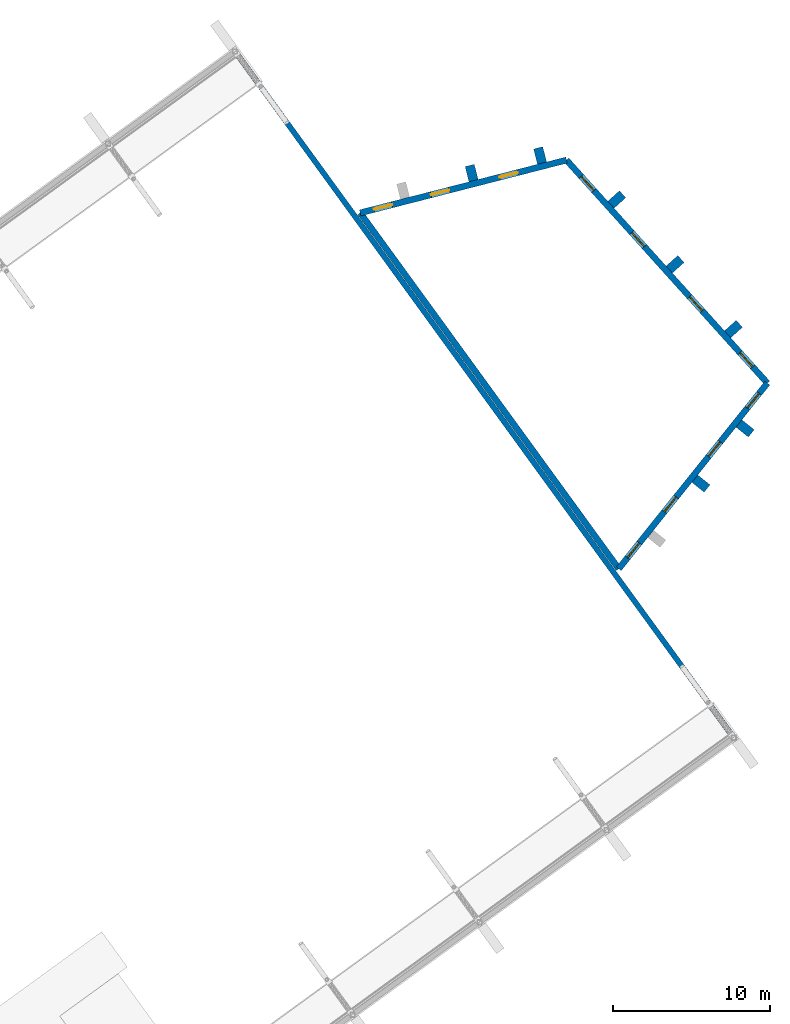
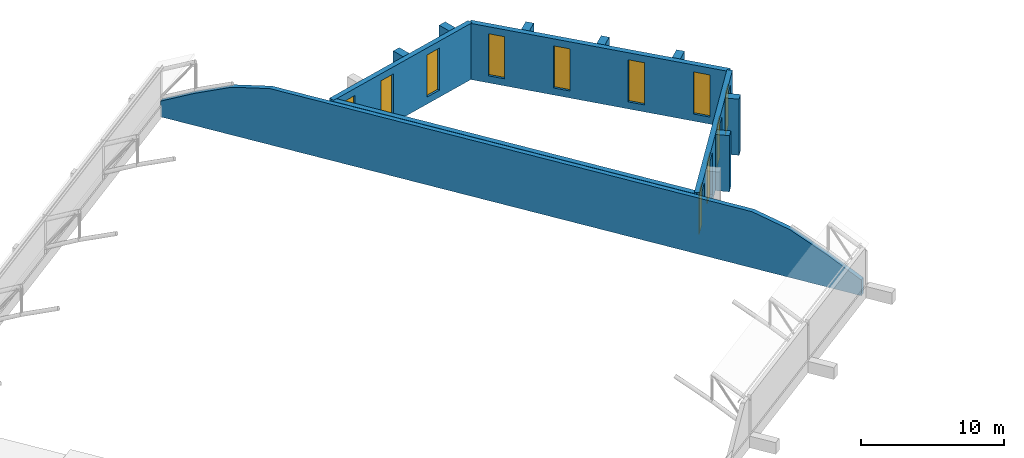
# One storey, part 130 of 196: 12 walls, 11 windows, 11 openings.
"""IFC4 building model written with IfcOpenShell, lengths in metres."""

from ifc_helpers import new_model, si_unit, direction, frame, frame_2d, origin, place, context, subcontext, project, spatial, polyline, rectangle, outline, extrude, material, layer, layer_set, type_object, element, fill, save


model = new_model("IFC4")

# Units and contexts
model_context = context("Model", 3, precision=1e-05, world=origin(), true_north=direction((0.0, 1.0)))
body_context = subcontext(model_context, "Body", "Model", "MODEL_VIEW")
ifc_project = project(units=[si_unit("LENGTHUNIT", "METRE"), si_unit("AREAUNIT", "SQUARE_METRE"), si_unit("VOLUMEUNIT", "CUBIC_METRE"), si_unit("PLANEANGLEUNIT", "RADIAN"), si_unit("MASSUNIT", "GRAM", prefix="KILO")], contexts=[model_context])

# Site, building, storey
site_placement = place(None, origin())
site = spatial("IfcSite", under=ifc_project, at=site_placement, CompositionType="ELEMENT")
building_placement = place(site_placement, origin())
building = spatial("IfcBuilding", under=site, at=building_placement, Name="Okhra Congress Centre", CompositionType="ELEMENT")
storey_placement = place(building_placement, frame((0.0, 0.0, 12.0)))
storey = spatial("IfcBuildingStorey", under=building, at=storey_placement, Name="L02", CompositionType="ELEMENT", Elevation=12.0)

# Walls
ifc_material_1 = material(Name="Concrete C30/37", Category="concrete")
ifc_layer_1 = layer(ifc_material_1, 0.35009765625)
ifc_layer_set_1 = layer_set([ifc_layer_1], Name="RC wall 350 REI 120 C30/37")
wall_type_1 = type_object("IfcWallType", Name="RC wall 350 REI 120 C30/37", PredefinedType="SOLIDWALL", material=ifc_layer_set_1)
wall_1_placement = place(storey_placement, frame((278.263427734375, 191.497314453125, 0.0), z_axis=(0.0, 0.0, 1.0), x_axis=(-0.58778587785, 0.809016539881, 0.0)))
element("IfcWall", 1, at=wall_1_placement, inside=storey, type_object=wall_type_1, Name="End wall E L02", PredefinedType="SOLIDWALL", context=body_context, shape_type="SweptSolid", body=[
    extrude(outline(polyline([(0.0, 0.0), (53.7001953125, 0.0), (53.699951171875, 1.342041015625), (51.085205078125, 2.754638671875), (48.23828125, 4.0869140625), (45.319091796875, 4.800048828125), (42.33740234375, 4.800048828125), (39.30322265625, 4.800048828125), (36.22705078125, 4.800048828125), (33.118896484375, 4.800048828125), (29.98974609375, 4.800048828125), (26.85009765625, 4.800048828125), (23.710205078125, 4.800048828125), (20.5810546875, 4.800048828125), (17.472900390625, 4.800048828125), (14.396728515625, 4.800048828125), (11.362548828125, 4.800048828125), (8.380859375, 4.800048828125), (5.461669921875, 4.0869140625), (2.61474609375, 2.754638671875), (0.0, 1.342041015625), (0.0, 0.0)])), frame((0.0, 0.175048828125, 0.0), z_axis=(0.0, -1.0, 0.0), x_axis=(1.0, 0.0, 0.0)), (0.0, 0.0, 1.0), 0.35009765625),
])
ifc_layer_2 = layer(ifc_material_1, 0.39990234375)
ifc_layer_set_2 = layer_set([ifc_layer_2], Name="RC wall 400 REI 120 C30/37")
wall_type_2 = type_object("IfcWallType", Name="RC wall 400 REI 120 C30/37", PredefinedType="SOLIDWALL", material=ifc_layer_set_2)
wall_2_placement = place(storey_placement, frame((271.033935546875, 202.12841796875, 0.0), z_axis=(0.0, 0.0, 1.0), x_axis=(-0.587787980643, 0.809015012105, 0.0)))
element("IfcWall", 2, at=wall_2_placement, inside=storey, type_object=wall_type_2, Name="Stage house wall W L02", PredefinedType="SOLIDWALL", context=body_context, shape_type="SweptSolid", body=[
    extrude(rectangle(XDim=28.0, YDim=0.39990234375, at=frame_2d((14.0, 0.0))), origin(), (0.0, 0.0, 1.0), 4.800048828125),
])

# Wall, openings, windows
wall_3_placement = place(storey_placement, frame((280.494384765625, 213.946044921875, 0.0), z_axis=(0.0, 0.0, 1.0), x_axis=(-0.66924426707, 0.743042469173, 0.0)))
wall_3 = element("IfcWall", 3, at=wall_3_placement, inside=storey, type_object=wall_type_2, Name="Stage house wall E L02", PredefinedType="SOLIDWALL", context=body_context, shape_type="SweptSolid", body=[
    extrude(rectangle(XDim=19.10498046875, YDim=0.39990234375, at=frame_2d((9.552490234375, 0.0))), origin(), (0.0, 0.0, 1.0), 4.800048828125),
])
opening_1_placement = place(wall_3_placement, frame((1.39990234375, 0.0, 0.60009765625)))
opening_1 = element("IfcOpeningElement", 4, at=opening_1_placement, cuts=wall_3, Name="Opening WN38", PredefinedType="OPENING", context=body_context, shape_type="SweptSolid", body=[
    extrude(rectangle(XDim=1.199951171875, YDim=3.60009765625, at=frame_2d((0.60009765625, 1.800048828125))), frame((0.0, 0.2099609375, 0.0), z_axis=(0.0, -1.0, 0.0), x_axis=(1.0, 0.0, 0.0)), (0.0, 0.0, 1.0), 0.419921875),
])
opening_2_placement = place(wall_3_placement, frame((6.199951171875, 0.0, 0.60009765625)))
opening_2 = element("IfcOpeningElement", 5, at=opening_2_placement, cuts=wall_3, Name="Opening WN38", PredefinedType="OPENING", context=body_context, shape_type="SweptSolid", body=[
    extrude(rectangle(XDim=1.199951171875, YDim=3.60009765625, at=frame_2d((0.60009765625, 1.800048828125))), frame((0.0, 0.2099609375, 0.0), z_axis=(0.0, -1.0, 0.0), x_axis=(1.0, 0.0, 0.0)), (0.0, 0.0, 1.0), 0.419921875),
])
opening_3_placement = place(wall_3_placement, frame((11.699951171875, 0.0, 0.60009765625)))
opening_3 = element("IfcOpeningElement", 6, at=opening_3_placement, cuts=wall_3, Name="Opening WN38", PredefinedType="OPENING", context=body_context, shape_type="SweptSolid", body=[
    extrude(rectangle(XDim=1.199951171875, YDim=3.60009765625, at=frame_2d((0.60009765625, 1.800048828125))), frame((0.0, 0.2099609375, 0.0), z_axis=(0.0, -1.0, 0.0), x_axis=(1.0, 0.0, 0.0)), (0.0, 0.0, 1.0), 0.419921875),
])
opening_4_placement = place(wall_3_placement, frame((16.5, 0.0, 0.60009765625)))
opening_4 = element("IfcOpeningElement", 7, at=opening_4_placement, cuts=wall_3, Name="Opening WN38", PredefinedType="OPENING", context=body_context, shape_type="SweptSolid", body=[
    extrude(rectangle(XDim=1.199951171875, YDim=3.60009765625, at=frame_2d((0.60009765625, 1.800048828125))), frame((0.0, 0.2099609375, 0.0), z_axis=(0.0, -1.0, 0.0), x_axis=(1.0, 0.0, 0.0)), (0.0, 0.0, 1.0), 0.419921875),
])
ifc_material_2 = material(Name="Thermally broken aluminium frame, triple glazing", Category="aluminium")
window_type = type_object("IfcWindowType", Name="Fixed window 1200x3600", PartitioningType="SINGLE_PANEL", PredefinedType="WINDOW", material=ifc_material_2)
window_1_placement = place(opening_1_placement, origin())
window_1 = element("IfcWindow", 8, at=window_1_placement, inside=storey, type_object=window_type, Name="Stage house slot window", OverallHeight=3.60009765625, OverallWidth=1.199951171875, PartitioningType="SINGLE_PANEL", PredefinedType="WINDOW", context=body_context, shape_type="SweptSolid", body=[
    extrude(rectangle(XDim=1.199951171875, YDim=3.60009765625, at=frame_2d((0.60009765625, 1.800048828125))), frame((0.0, 0.030029296875, 0.0), z_axis=(0.0, -1.0, 0.0), x_axis=(1.0, 0.0, 0.0)), (0.0, 0.0, 1.0), 0.06005859375),
])
fill(opening_1, window_1)
window_2_placement = place(opening_2_placement, origin())
window_2 = element("IfcWindow", 9, at=window_2_placement, inside=storey, type_object=window_type, Name="Stage house slot window", OverallHeight=3.60009765625, OverallWidth=1.199951171875, PartitioningType="SINGLE_PANEL", PredefinedType="WINDOW", context=body_context, shape_type="SweptSolid", body=[
    extrude(rectangle(XDim=1.199951171875, YDim=3.60009765625, at=frame_2d((0.60009765625, 1.800048828125))), frame((0.0, 0.030029296875, 0.0), z_axis=(0.0, -1.0, 0.0), x_axis=(1.0, 0.0, 0.0)), (0.0, 0.0, 1.0), 0.06005859375),
])
fill(opening_2, window_2)
window_3_placement = place(opening_3_placement, origin())
window_3 = element("IfcWindow", 10, at=window_3_placement, inside=storey, type_object=window_type, Name="Stage house slot window", OverallHeight=3.60009765625, OverallWidth=1.199951171875, PartitioningType="SINGLE_PANEL", PredefinedType="WINDOW", context=body_context, shape_type="SweptSolid", body=[
    extrude(rectangle(XDim=1.199951171875, YDim=3.60009765625, at=frame_2d((0.60009765625, 1.800048828125))), frame((0.0, 0.030029296875, 0.0), z_axis=(0.0, -1.0, 0.0), x_axis=(1.0, 0.0, 0.0)), (0.0, 0.0, 1.0), 0.06005859375),
])
fill(opening_3, window_3)
window_4_placement = place(opening_4_placement, origin())
window_4 = element("IfcWindow", 11, at=window_4_placement, inside=storey, type_object=window_type, Name="Stage house slot window", OverallHeight=3.60009765625, OverallWidth=1.199951171875, PartitioningType="SINGLE_PANEL", PredefinedType="WINDOW", context=body_context, shape_type="SweptSolid", body=[
    extrude(rectangle(XDim=1.199951171875, YDim=3.60009765625, at=frame_2d((0.60009765625, 1.800048828125))), frame((0.0, 0.030029296875, 0.0), z_axis=(0.0, -1.0, 0.0), x_axis=(1.0, 0.0, 0.0)), (0.0, 0.0, 1.0), 0.06005859375),
])
fill(opening_4, window_4)

wall_4_placement = place(storey_placement, frame((271.033935546875, 202.12841796875, 0.0), z_axis=(0.0, 0.0, 1.0), x_axis=(0.624950698066, 0.780664220384, 0.0)))
wall_4 = element("IfcWall", 12, at=wall_4_placement, inside=storey, type_object=wall_type_2, Name="Stage house wall S L02", PredefinedType="SOLIDWALL", context=body_context, shape_type="SweptSolid", body=[
    extrude(rectangle(XDim=15.137939453125, YDim=0.39990234375, at=frame_2d((7.56884765625, 0.0))), origin(), (0.0, 0.0, 1.0), 4.800048828125),
])
opening_5_placement = place(wall_4_placement, frame((0.89990234375, 0.0, 0.60009765625)))
opening_5 = element("IfcOpeningElement", 13, at=opening_5_placement, cuts=wall_4, Name="Opening WN38", PredefinedType="OPENING", context=body_context, shape_type="SweptSolid", body=[
    extrude(rectangle(XDim=1.199951171875, YDim=3.60009765625, at=frame_2d((0.60009765625, 1.800048828125))), frame((0.0, 0.2099609375, 0.0), z_axis=(0.0, -1.0, 0.0), x_axis=(1.0, 0.0, 0.0)), (0.0, 0.0, 1.0), 0.419921875),
])
opening_6_placement = place(wall_4_placement, frame((4.64990234375, 0.0, 0.60009765625)))
opening_6 = element("IfcOpeningElement", 14, at=opening_6_placement, cuts=wall_4, Name="Opening WN38", PredefinedType="OPENING", context=body_context, shape_type="SweptSolid", body=[
    extrude(rectangle(XDim=1.199951171875, YDim=3.60009765625, at=frame_2d((0.60009765625, 1.800048828125))), frame((0.0, 0.2099609375, 0.0), z_axis=(0.0, -1.0, 0.0), x_axis=(1.0, 0.0, 0.0)), (0.0, 0.0, 1.0), 0.419921875),
])
opening_7_placement = place(wall_4_placement, frame((9.14990234375, 0.0, 0.60009765625)))
opening_7 = element("IfcOpeningElement", 15, at=opening_7_placement, cuts=wall_4, Name="Opening WN38", PredefinedType="OPENING", context=body_context, shape_type="SweptSolid", body=[
    extrude(rectangle(XDim=1.199951171875, YDim=3.60009765625, at=frame_2d((0.60009765625, 1.800048828125))), frame((0.0, 0.2099609375, 0.0), z_axis=(0.0, -1.0, 0.0), x_axis=(1.0, 0.0, 0.0)), (0.0, 0.0, 1.0), 0.419921875),
])
opening_8_placement = place(wall_4_placement, frame((13.10009765625, 0.0, 0.60009765625)))
opening_8 = element("IfcOpeningElement", 16, at=opening_8_placement, cuts=wall_4, Name="Opening WN38", PredefinedType="OPENING", context=body_context, shape_type="SweptSolid", body=[
    extrude(rectangle(XDim=1.199951171875, YDim=3.60009765625, at=frame_2d((0.60009765625, 1.800048828125))), frame((0.0, 0.2099609375, 0.0), z_axis=(0.0, -1.0, 0.0), x_axis=(1.0, 0.0, 0.0)), (0.0, 0.0, 1.0), 0.419921875),
])
window_5_placement = place(opening_5_placement, origin())
window_5 = element("IfcWindow", 17, at=window_5_placement, inside=storey, type_object=window_type, Name="Stage house slot window", OverallHeight=3.60009765625, OverallWidth=1.199951171875, PartitioningType="SINGLE_PANEL", PredefinedType="WINDOW", context=body_context, shape_type="SweptSolid", body=[
    extrude(rectangle(XDim=1.199951171875, YDim=3.60009765625, at=frame_2d((0.60009765625, 1.800048828125))), frame((0.0, 0.030029296875, 0.0), z_axis=(0.0, -1.0, 0.0), x_axis=(1.0, 0.0, 0.0)), (0.0, 0.0, 1.0), 0.06005859375),
])
fill(opening_5, window_5)
window_6_placement = place(opening_6_placement, origin())
window_6 = element("IfcWindow", 18, at=window_6_placement, inside=storey, type_object=window_type, Name="Stage house slot window", OverallHeight=3.60009765625, OverallWidth=1.199951171875, PartitioningType="SINGLE_PANEL", PredefinedType="WINDOW", context=body_context, shape_type="SweptSolid", body=[
    extrude(rectangle(XDim=1.199951171875, YDim=3.60009765625, at=frame_2d((0.60009765625, 1.800048828125))), frame((0.0, 0.030029296875, 0.0), z_axis=(0.0, -1.0, 0.0), x_axis=(1.0, 0.0, 0.0)), (0.0, 0.0, 1.0), 0.06005859375),
])
fill(opening_6, window_6)
window_7_placement = place(opening_7_placement, origin())
window_7 = element("IfcWindow", 19, at=window_7_placement, inside=storey, type_object=window_type, Name="Stage house slot window", OverallHeight=3.60009765625, OverallWidth=1.199951171875, PartitioningType="SINGLE_PANEL", PredefinedType="WINDOW", context=body_context, shape_type="SweptSolid", body=[
    extrude(rectangle(XDim=1.199951171875, YDim=3.60009765625, at=frame_2d((0.60009765625, 1.800048828125))), frame((0.0, 0.030029296875, 0.0), z_axis=(0.0, -1.0, 0.0), x_axis=(1.0, 0.0, 0.0)), (0.0, 0.0, 1.0), 0.06005859375),
])
fill(opening_7, window_7)
window_8_placement = place(opening_8_placement, origin())
window_8 = element("IfcWindow", 20, at=window_8_placement, inside=storey, type_object=window_type, Name="Stage house slot window", OverallHeight=3.60009765625, OverallWidth=1.199951171875, PartitioningType="SINGLE_PANEL", PredefinedType="WINDOW", context=body_context, shape_type="SweptSolid", body=[
    extrude(rectangle(XDim=1.199951171875, YDim=3.60009765625, at=frame_2d((0.60009765625, 1.800048828125))), frame((0.0, 0.030029296875, 0.0), z_axis=(0.0, -1.0, 0.0), x_axis=(1.0, 0.0, 0.0)), (0.0, 0.0, 1.0), 0.06005859375),
])
fill(opening_8, window_8)

wall_5_placement = place(storey_placement, frame((254.575927734375, 224.78076171875, 0.0), z_axis=(0.0, 0.0, 1.0), x_axis=(0.968774540498, 0.247943319496, 0.0)))
wall_5 = element("IfcWall", 21, at=wall_5_placement, inside=storey, type_object=wall_type_2, Name="Stage house wall N L02", PredefinedType="SOLIDWALL", context=body_context, shape_type="SweptSolid", body=[
    extrude(rectangle(XDim=13.555908203125, YDim=0.39990234375, at=frame_2d((6.77783203125, 0.0))), origin(), (0.0, 0.0, 1.0), 4.800048828125),
])
opening_9_placement = place(wall_5_placement, frame((0.89990234375, 0.0, 0.60009765625)))
opening_9 = element("IfcOpeningElement", 22, at=opening_9_placement, cuts=wall_5, Name="Opening WN38", PredefinedType="OPENING", context=body_context, shape_type="SweptSolid", body=[
    extrude(rectangle(XDim=1.199951171875, YDim=3.60009765625, at=frame_2d((0.60009765625, 1.800048828125))), frame((0.0, 0.2099609375, 0.0), z_axis=(0.0, -1.0, 0.0), x_axis=(1.0, 0.0, 0.0)), (0.0, 0.0, 1.0), 0.419921875),
])
opening_10_placement = place(wall_5_placement, frame((4.64990234375, 0.0, 0.60009765625)))
opening_10 = element("IfcOpeningElement", 23, at=opening_10_placement, cuts=wall_5, Name="Opening WN38", PredefinedType="OPENING", context=body_context, shape_type="SweptSolid", body=[
    extrude(rectangle(XDim=1.199951171875, YDim=3.60009765625, at=frame_2d((0.60009765625, 1.800048828125))), frame((0.0, 0.2099609375, 0.0), z_axis=(0.0, -1.0, 0.0), x_axis=(1.0, 0.0, 0.0)), (0.0, 0.0, 1.0), 0.419921875),
])
opening_11_placement = place(wall_5_placement, frame((9.14990234375, 0.0, 0.60009765625)))
opening_11 = element("IfcOpeningElement", 24, at=opening_11_placement, cuts=wall_5, Name="Opening WN38", PredefinedType="OPENING", context=body_context, shape_type="SweptSolid", body=[
    extrude(rectangle(XDim=1.199951171875, YDim=3.60009765625, at=frame_2d((0.60009765625, 1.800048828125))), frame((0.0, 0.2099609375, 0.0), z_axis=(0.0, -1.0, 0.0), x_axis=(1.0, 0.0, 0.0)), (0.0, 0.0, 1.0), 0.419921875),
])
window_9_placement = place(opening_9_placement, origin())
window_9 = element("IfcWindow", 25, at=window_9_placement, inside=storey, type_object=window_type, Name="Stage house slot window", OverallHeight=3.60009765625, OverallWidth=1.199951171875, PartitioningType="SINGLE_PANEL", PredefinedType="WINDOW", context=body_context, shape_type="SweptSolid", body=[
    extrude(rectangle(XDim=1.199951171875, YDim=3.60009765625, at=frame_2d((0.60009765625, 1.800048828125))), frame((0.0, 0.030029296875, 0.0), z_axis=(0.0, -1.0, 0.0), x_axis=(1.0, 0.0, 0.0)), (0.0, 0.0, 1.0), 0.06005859375),
])
fill(opening_9, window_9)
window_10_placement = place(opening_10_placement, origin())
window_10 = element("IfcWindow", 26, at=window_10_placement, inside=storey, type_object=window_type, Name="Stage house slot window", OverallHeight=3.60009765625, OverallWidth=1.199951171875, PartitioningType="SINGLE_PANEL", PredefinedType="WINDOW", context=body_context, shape_type="SweptSolid", body=[
    extrude(rectangle(XDim=1.199951171875, YDim=3.60009765625, at=frame_2d((0.60009765625, 1.800048828125))), frame((0.0, 0.030029296875, 0.0), z_axis=(0.0, -1.0, 0.0), x_axis=(1.0, 0.0, 0.0)), (0.0, 0.0, 1.0), 0.06005859375),
])
fill(opening_10, window_10)
window_11_placement = place(opening_11_placement, origin())
window_11 = element("IfcWindow", 27, at=window_11_placement, inside=storey, type_object=window_type, Name="Stage house slot window", OverallHeight=3.60009765625, OverallWidth=1.199951171875, PartitioningType="SINGLE_PANEL", PredefinedType="WINDOW", context=body_context, shape_type="SweptSolid", body=[
    extrude(rectangle(XDim=1.199951171875, YDim=3.60009765625, at=frame_2d((0.60009765625, 1.800048828125))), frame((0.0, 0.030029296875, 0.0), z_axis=(0.0, -1.0, 0.0), x_axis=(1.0, 0.0, 0.0)), (0.0, 0.0, 1.0), 0.06005859375),
])
fill(opening_11, window_11)

# Walls
ifc_material_3 = material(Name="Concrete C35/45", Category="concrete")
ifc_layer_3 = layer(ifc_material_3, 0.60009765625)
ifc_layer_set_3 = layer_set([ifc_layer_3], Name="Stage house fin 600 R 120 C35/45")
wall_type_3 = type_object("IfcWallType", Name="Stage house fin 600 R 120 C35/45", PredefinedType="SOLIDWALL", material=ifc_layer_set_3)
for number, where, z_axis, x_axis, name in (
    (28, (277.966064453125, 217.052001953125, 0.0), (0.0, 0.0, 1.0), (0.742893420828, 0.669409714069, 0.0), "Stage house fin E1 L02"),
    (29, (274.251708984375, 221.176025390625, 0.0), (0.0, 0.0, 1.0), (0.743124177136, 0.669153537953, 0.0), "Stage house fin E2 L02"),
    (30, (270.537353515625, 225.2998046875, 0.0), (0.0, 0.0, 1.0), (0.743124177136, 0.669153537953, 0.0), "Stage house fin E3 L02"),
    (31, (275.877197265625, 207.8583984375, 0.0), (0.0, 0.0, 1.0), (0.78058288061, -0.625052291011, 0.0), "Stage house fin S2 L02"),
    (32, (278.689453125, 211.371337890625, 0.0), (0.0, 0.0, 1.0), (0.780678244716, -0.62493317901, 0.0), "Stage house fin S3 L02"),
):
    element("IfcWall", number, at=place(storey_placement, frame(where, z_axis=z_axis, x_axis=x_axis)), inside=storey, type_object=wall_type_3, Name=name, PredefinedType="SOLIDWALL", context=body_context, shape_type="SweptSolid", body=[
        extrude(rectangle(XDim=1.0, YDim=0.60009765625, at=frame_2d((0.5, 0.0))), origin(), (0.0, 0.0, 1.0), 4.800048828125),
    ])
for number, where, z_axis, x_axis, name in (
    (33, (261.792236328125, 226.833984375, 0.0), (0.0, 0.0, 1.0), (-0.247987749771, 0.96876316815, 0.0), "Stage house fin N2 L02"),
    (34, (266.151611328125, 227.94970703125, 0.0), (0.0, 0.0, 1.0), (-0.247758657109, 0.968821783316, 0.0), "Stage house fin N3 L02"),
):
    element("IfcWall", number, at=place(storey_placement, frame(where, z_axis=z_axis, x_axis=x_axis)), inside=storey, type_object=wall_type_3, Name=name, PredefinedType="SOLIDWALL", context=body_context, shape_type="SweptSolid", body=[
        extrude(rectangle(XDim=1.000244140625, YDim=0.60009765625, at=frame_2d((0.5, 0.0))), origin(), (0.0, 0.0, 1.0), 4.800048828125),
    ])

save(model, "model.ifc")
